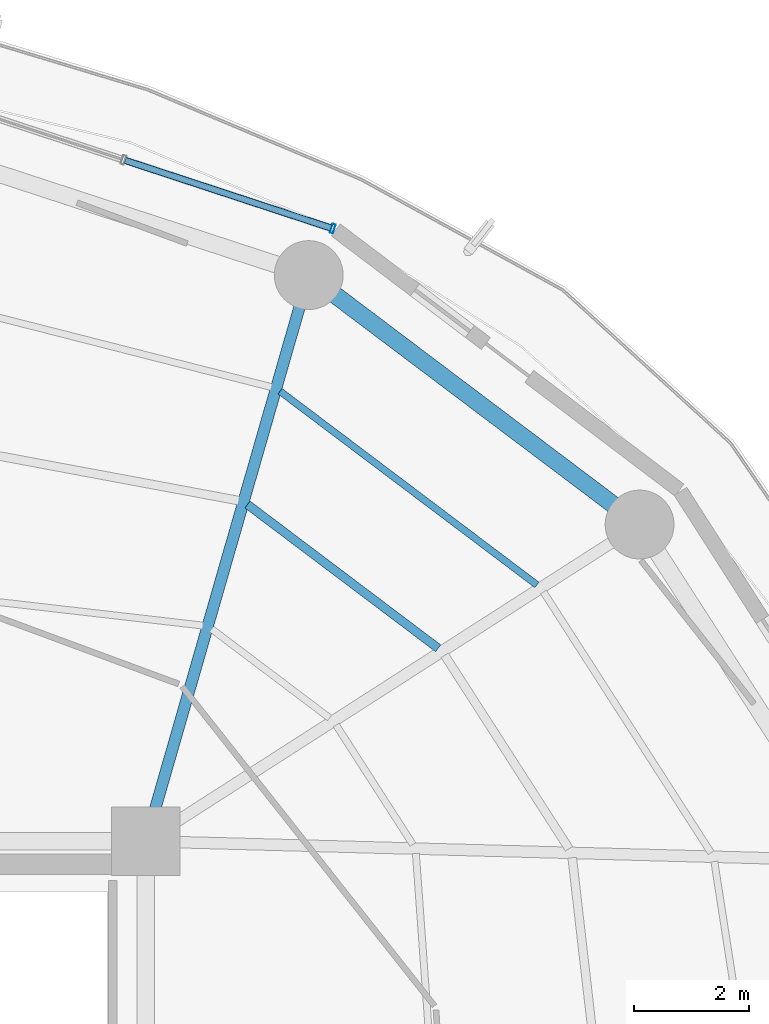
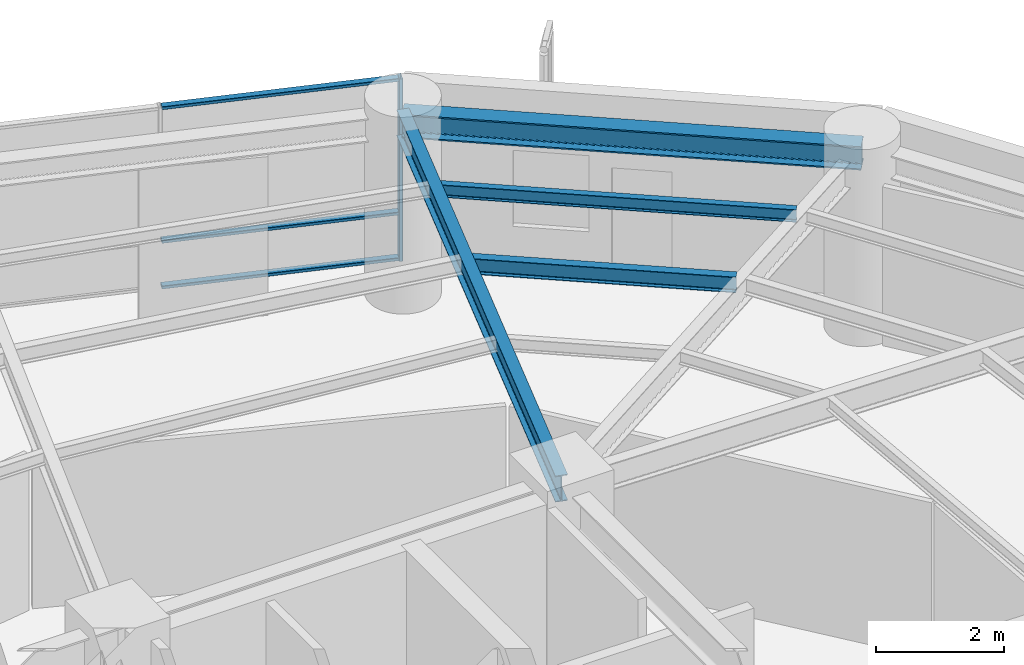
# One storey, part 19 of 27: 4 beams, 4 members, 1 element without a shape of its own.
"""IFC4 building model written with IfcOpenShell, lengths in metres."""

from ifc_helpers import new_model, si_unit, direction, frame, origin, origin_2d, place, context, subcontext, project, spatial, hollow_rectangle, i_section, extrude, material, layer, layer_set, material_profile, profile_set, type_object, element, aggregate, save


model = new_model("IFC4")

# Units and contexts
model_context = context("Model", 3, precision=1e-05, world=origin(), true_north=direction((0.0, 1.0)))
body_context = subcontext(model_context, "Body", "Model", "MODEL_VIEW")
ifc_project = project(units=[si_unit("LENGTHUNIT", "METRE"), si_unit("AREAUNIT", "SQUARE_METRE"), si_unit("VOLUMEUNIT", "CUBIC_METRE"), si_unit("PLANEANGLEUNIT", "RADIAN"), si_unit("MASSUNIT", "GRAM", prefix="KILO")], contexts=[model_context])

# Site, building, storey
site_placement = place(None, origin())
site = spatial("IfcSite", under=ifc_project, at=site_placement, CompositionType="ELEMENT")
building_placement = place(site_placement, origin())
building = spatial("IfcBuilding", under=site, at=building_placement, Name="Kelanora Arch Commons", CompositionType="ELEMENT")
storey_placement = place(building_placement, frame((0.0, 0.0, 154.35009765625)))
storey = spatial("IfcBuildingStorey", under=building, at=storey_placement, Name="L39", CompositionType="ELEMENT", Elevation=154.35009765625)

# Beams
ifc_material_1 = material(Name="Steel S355", Category="steel")
ifc_material_profile_1 = material_profile(ifc_material_1, i_section(OverallWidth=0.14990234375, OverallDepth=0.300048828125, WebThickness=0.007080078125, FlangeThickness=0.0107421875, FilletRadius=0.014892578125, at=origin_2d()), Name="IPE300")
ifc_profile_set_1 = profile_set([ifc_material_profile_1], Name="Steel S355")
beam_type_1 = type_object("IfcBeamType", Name="BM-JST-01", PredefinedType="JOIST", material=ifc_profile_set_1)
beam_1_placement = place(storey_placement, frame((87.0966796875, 68.364013671875, 3.33984375), z_axis=(-0.798463547891, 0.602043156833, 0.0), x_axis=(-0.602043156833, -0.798463547891, 0.0)))
element("IfcBeam", 1, at=beam_1_placement, inside=storey, type_object=beam_type_1, Name="Secondary Chord Joist BJB-04 L39", PredefinedType="JOIST", context=body_context, shape_type="SweptSolid", body=[
    extrude(i_section(OverallWidth=0.14990234375, OverallDepth=0.300048828125, WebThickness=0.007080078125, FlangeThickness=0.0107421875, FilletRadius=0.014892578125, at=origin_2d()), origin(), (0.0, 0.0, 1.0), 4.163818359375),
])
ifc_material_profile_2 = material_profile(ifc_material_1, i_section(OverallWidth=0.1201171875, OverallDepth=0.239990234375, WebThickness=0.006103515625, FlangeThickness=0.009765625, FilletRadius=0.014892578125, at=origin_2d()), Name="IPE240")
ifc_profile_set_2 = profile_set([ifc_material_profile_2], Name="Steel S355")
beam_type_2 = type_object("IfcBeamType", Name="BM-JST-02", PredefinedType="JOIST", material=ifc_profile_set_2)
beam_2_placement = place(storey_placement, frame((88.818359375, 69.468505859375, 3.369873046875), z_axis=(-0.798493128577, 0.602003923256, 0.0), x_axis=(-0.602003923256, -0.798493128577, 0.0)))
element("IfcBeam", 2, at=beam_2_placement, inside=storey, type_object=beam_type_2, Name="Secondary Chord Joist BJC-04 L39", PredefinedType="JOIST", context=body_context, shape_type="SweptSolid", body=[
    extrude(i_section(OverallWidth=0.1201171875, OverallDepth=0.239990234375, WebThickness=0.006103515625, FlangeThickness=0.009765625, FilletRadius=0.014892578125, at=origin_2d()), origin(), (0.0, 0.0, 1.0), 5.608642578125),
])
ifc_material_profile_3 = material_profile(ifc_material_1, i_section(OverallWidth=0.199951171875, OverallDepth=0.5, WebThickness=0.01025390625, FlangeThickness=0.01611328125, FilletRadius=0.02099609375, at=origin_2d()), Name="IPE500")
ifc_profile_set_3 = profile_set([ifc_material_profile_3], Name="Steel S355")
beam_type_3 = type_object("IfcBeamType", Name="BM-RAD-Z3", PredefinedType="BEAM", material=ifc_profile_set_3)
beam_3_placement = place(storey_placement, frame((82.0, 65.0, 3.239990234375), z_axis=(0.276525880065, 0.961006471182, 0.0), x_axis=(-0.961006471182, 0.276525880065, 0.0)))
element("IfcBeam", 3, at=beam_3_placement, inside=storey, type_object=beam_type_3, Name="Radial Floor Girder BR-06 L39", PredefinedType="BEAM", context=body_context, shape_type="SweptSolid", body=[
    extrude(i_section(OverallWidth=0.199951171875, OverallDepth=0.5, WebThickness=0.01025390625, FlangeThickness=0.01611328125, FilletRadius=0.02099609375, at=origin_2d()), origin(), (0.0, 0.0, 1.0), 10.2705078125),
])
ifc_material_profile_4 = material_profile(ifc_material_1, i_section(OverallWidth=0.300048828125, OverallDepth=0.449951171875, WebThickness=0.013916015625, FlangeThickness=0.02587890625, FilletRadius=0.027099609375, at=origin_2d()), Name="HEB450")
ifc_profile_set_4 = profile_set([ifc_material_profile_4], Name="Steel S355")
beam_type_4 = type_object("IfcBeamType", Name="BM-SPN-Z3", PredefinedType="SPANDREL", material=ifc_profile_set_4)
beam_4_placement = place(storey_placement, frame((90.60791015625, 70.521484375, 3.264892578125), z_axis=(-0.798484645564, 0.60201517489, 0.0), x_axis=(-0.60201517489, -0.798484645564, 0.0)))
element("IfcBeam", 4, at=beam_4_placement, inside=storey, type_object=beam_type_4, Name="Perimeter Spandrel Beam BS-04 L39", PredefinedType="SPANDREL", context=body_context, shape_type="SweptSolid", body=[
    extrude(i_section(OverallWidth=0.300048828125, OverallDepth=0.449951171875, WebThickness=0.013916015625, FlangeThickness=0.02587890625, FilletRadius=0.027099609375, at=origin_2d()), origin(), (0.0, 0.0, 1.0), 7.223388671875),
])

# Curtain wall, members
ifc_material_2 = material(Name="Terracotta ceramic-fritted low-E glass and aluminium", Category="masonry")
ifc_layer = layer(ifc_material_2, 0.175048828125)
ifc_layer_set = layer_set([ifc_layer], Name="Terracotta ceramic-fritted low-E glass and aluminium")
curtain_wall_type = type_object("IfcCurtainWallType", Name="CW-SYS-02", PredefinedType="NOTDEFINED", material=ifc_layer_set)
curtain_wall_placement = place(storey_placement, origin())
curtain_wall = element("IfcCurtainWall", 5, at=curtain_wall_placement, inside=storey, type_object=curtain_wall_type, Name="Unitised Curtain Wall L39-B03", PredefinedType="NOTDEFINED")
ifc_material_3 = material(Name="Powder-coated aluminium terracotta", Category="masonry")
ifc_material_profile_5 = material_profile(ifc_material_3, hollow_rectangle(XDim=0.159912109375, YDim=0.06005859375, WallThickness=0.0048828125, InnerFilletRadius=0.0048828125, OuterFilletRadius=0.010009765625, at=origin_2d()), Name="CWM160x60")
ifc_profile_set_5 = profile_set([ifc_material_profile_5], Name="Powder-coated aluminium terracotta")
member_type_1 = type_object("IfcMemberType", Name="CWM-STD", PredefinedType="MULLION", material=ifc_profile_set_5)
member_1_placement = place(storey_placement, frame((85.257080078125, 75.680908203125, 0.0), z_axis=(0.0, 0.0, 1.0), x_axis=(-0.312128279571, -0.95003996605, 0.0)))
member_1 = element("IfcMember", 6, at=member_1_placement, type_object=member_type_1, Name="CW-02 mullion 1", PredefinedType="MULLION", context=body_context, shape_type="SweptSolid", body=[
    extrude(hollow_rectangle(XDim=0.159912109375, YDim=0.06005859375, WallThickness=0.0048828125, InnerFilletRadius=0.0048828125, OuterFilletRadius=0.010009765625, at=origin_2d()), origin(), (0.0, 0.0, 1.0), 3.474853515625),
])
ifc_material_profile_6 = material_profile(ifc_material_3, hollow_rectangle(XDim=0.1201171875, YDim=0.06005859375, WallThickness=0.0048828125, InnerFilletRadius=0.0048828125, OuterFilletRadius=0.010009765625, at=origin_2d()), Name="CWT120x60")
ifc_profile_set_6 = profile_set([ifc_material_profile_6], Name="Powder-coated aluminium terracotta")
member_type_2 = type_object("IfcMemberType", Name="CWT-STD", PredefinedType="USERDEFINED", material=ifc_profile_set_6)
member_2_placement = place(storey_placement, frame((85.228759765625, 75.6904296875, 0.02978515625), z_axis=(-0.950051191155, 0.312094111104, 0.0), x_axis=(-0.312094111104, -0.950051191155, 0.0)))
member_2 = element("IfcMember", 7, at=member_2_placement, type_object=member_type_2, Name="CW-02 transom 1.1", ObjectType="TRANSOM", PredefinedType="USERDEFINED", context=body_context, shape_type="SweptSolid", body=[
    extrude(hollow_rectangle(XDim=0.1201171875, YDim=0.06005859375, WallThickness=0.0048828125, InnerFilletRadius=0.0048828125, OuterFilletRadius=0.010009765625, at=origin_2d()), origin(), (0.0, 0.0, 1.0), 3.77685546875),
])
member_3_placement = place(storey_placement, frame((85.228759765625, 75.6904296875, 0.89990234375), z_axis=(-0.950051191155, 0.312094111104, 0.0), x_axis=(-0.312094111104, -0.950051191155, 0.0)))
member_3 = element("IfcMember", 8, at=member_3_placement, type_object=member_type_2, Name="CW-02 transom 1.2", ObjectType="TRANSOM", PredefinedType="USERDEFINED", context=body_context, shape_type="SweptSolid", body=[
    extrude(hollow_rectangle(XDim=0.1201171875, YDim=0.06005859375, WallThickness=0.0048828125, InnerFilletRadius=0.0048828125, OuterFilletRadius=0.010009765625, at=origin_2d()), origin(), (0.0, 0.0, 1.0), 3.77685546875),
])
member_4_placement = place(storey_placement, frame((85.228759765625, 75.6904296875, 3.44482421875), z_axis=(-0.950051191155, 0.312094111104, 0.0), x_axis=(-0.312094111104, -0.950051191155, 0.0)))
member_4 = element("IfcMember", 9, at=member_4_placement, type_object=member_type_2, Name="CW-02 transom 1.3", ObjectType="TRANSOM", PredefinedType="USERDEFINED", context=body_context, shape_type="SweptSolid", body=[
    extrude(hollow_rectangle(XDim=0.1201171875, YDim=0.06005859375, WallThickness=0.0048828125, InnerFilletRadius=0.0048828125, OuterFilletRadius=0.010009765625, at=origin_2d()), origin(), (0.0, 0.0, 1.0), 3.77685546875),
])
aggregate(curtain_wall, [member_1, member_2, member_3, member_4])

save(model, "model.ifc")
